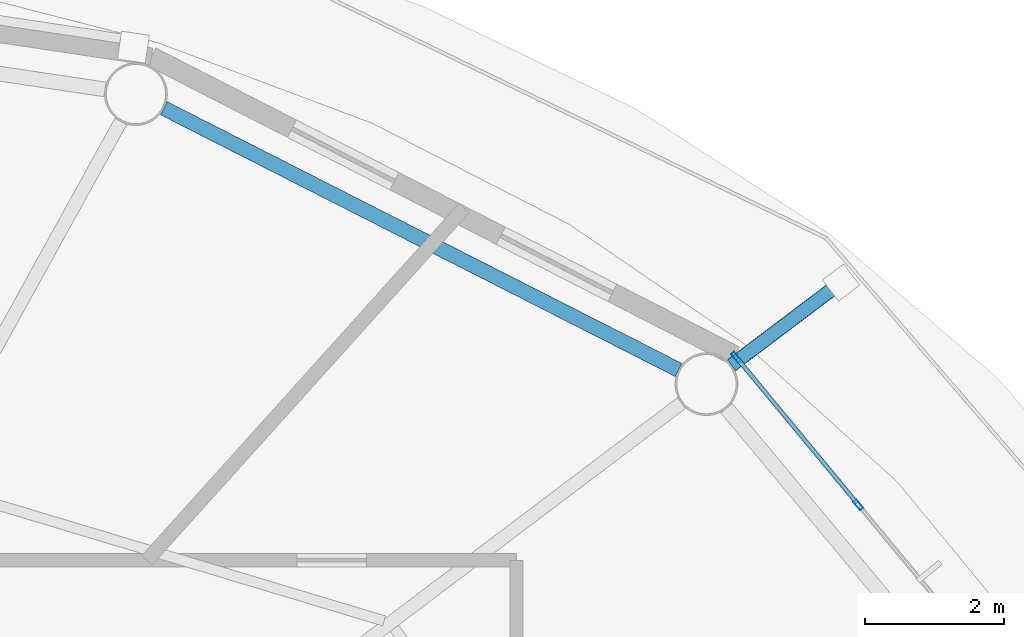
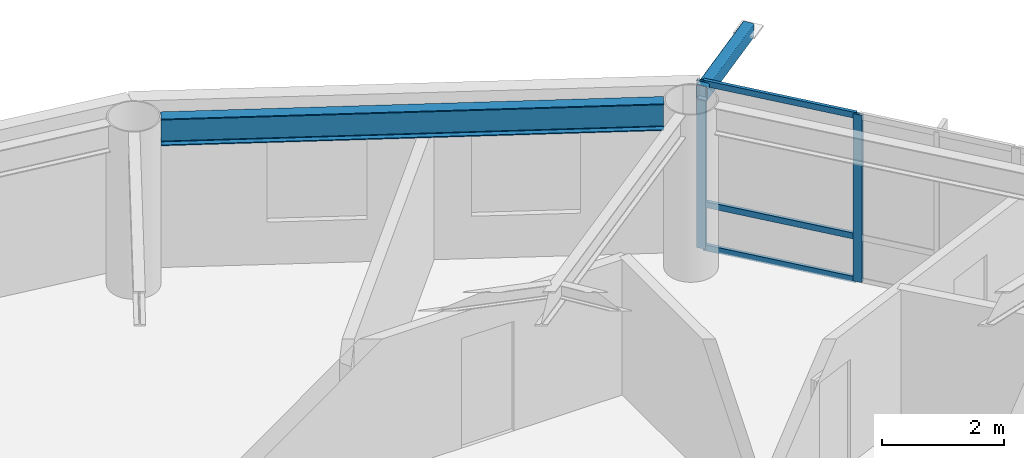
# One storey, part 11 of 22: 6 members, 1 beam, 1 element without a shape of its own.
"""IFC4 building model written with IfcOpenShell, lengths in metres."""

from ifc_helpers import new_model, si_unit, direction, frame, origin, origin_2d, place, context, subcontext, project, spatial, hollow_rectangle, i_section, extrude, material, layer, layer_set, material_profile, profile_set, type_object, element, aggregate, save


model = new_model("IFC4")

# Units and contexts
model_context = context("Model", 3, precision=1e-05, world=origin(), true_north=direction((0.0, 1.0)))
body_context = subcontext(model_context, "Body", "Model", "MODEL_VIEW")
ifc_project = project(units=[si_unit("LENGTHUNIT", "METRE"), si_unit("AREAUNIT", "SQUARE_METRE"), si_unit("VOLUMEUNIT", "CUBIC_METRE"), si_unit("PLANEANGLEUNIT", "RADIAN"), si_unit("MASSUNIT", "GRAM", prefix="KILO")], contexts=[model_context])

# Site, building, storey
site_placement = place(None, origin())
site = spatial("IfcSite", under=ifc_project, at=site_placement, CompositionType="ELEMENT")
building_placement = place(site_placement, origin())
building = spatial("IfcBuilding", under=site, at=building_placement, Name="Sarneth Arch Tower", CompositionType="ELEMENT")
storey_placement = place(building_placement, frame((0.0, 0.0, 213.60009765625)))
storey = spatial("IfcBuildingStorey", under=building, at=storey_placement, Name="L54", CompositionType="ELEMENT", Elevation=213.60009765625)

# Beam
ifc_material_1 = material(Name="Steel S355", Category="steel")
ifc_material_profile_1 = material_profile(ifc_material_1, i_section(OverallWidth=0.2109375, OverallDepth=0.5390625, WebThickness=0.01171875, FlangeThickness=0.018798828125, FilletRadius=0.01806640625, at=origin_2d()), Name="W530x109")
ifc_profile_set_1 = profile_set([ifc_material_profile_1], Name="Steel S355")
beam_type = type_object("IfcBeamType", Name="BM-RAD-530B", PredefinedType="BEAM", material=ifc_profile_set_1)
beam_placement = place(storey_placement, frame((65.57421875, 55.780517578125, 3.09033203125), z_axis=(-0.891376248079, 0.453264144138, 0.0), x_axis=(-0.453264144138, -0.891376248079, 0.0)))
element("IfcBeam", 1, at=beam_placement, inside=storey, type_object=beam_type, Name="L54 Perimeter spandrel beam 03", PredefinedType="BEAM", context=body_context, shape_type="SweptSolid", body=[
    extrude(i_section(OverallWidth=0.2109375, OverallDepth=0.5390625, WebThickness=0.01171875, FlangeThickness=0.018798828125, FilletRadius=0.01806640625, at=origin_2d()), origin(), (0.0, 0.0, 1.0), 8.281982421875),
])

# Curtain wall, members
ifc_material_2 = material(Name="Anodised aluminium Type AA25 and solar-control low-e laminated IGU", Category="aluminium")
ifc_layer = layer(ifc_material_2, 0.179931640625)
ifc_layer_set = layer_set([ifc_layer], Name="Anodised aluminium Type AA25 and solar-control low-e laminated IGU")
curtain_wall_type = type_object("IfcCurtainWallType", Name="CW-RES-HIGH", PredefinedType="NOTDEFINED", material=ifc_layer_set)
curtain_wall_placement = place(storey_placement, origin())
curtain_wall = element("IfcCurtainWall", 2, at=curtain_wall_placement, inside=storey, type_object=curtain_wall_type, Name="L54 Unitised curtain wall facet 02", PredefinedType="NOTDEFINED")
ifc_material_3 = material(Name="Anodised Aluminium 6063-T6", Category="aluminium")
ifc_material_profile_2 = material_profile(ifc_material_3, hollow_rectangle(XDim=0.06005859375, YDim=0.159912109375, WallThickness=0.00390625, at=origin_2d()), Name="AL-MULL-160x60x4")
ifc_profile_set_2 = profile_set([ifc_material_profile_2], Name="Anodised Aluminium 6063-T6")
member_type_1 = type_object("IfcMemberType", Name="CW-MULLION", PredefinedType="MULLION", material=ifc_profile_set_2)
member_1_placement = place(storey_placement, frame((68.15283203125, 53.84765625, 0.0), z_axis=(0.0, 0.0, 1.0), x_axis=(-0.770359245933, -0.637610094184, 0.0)))
member_1 = element("IfcMember", 3, at=member_1_placement, type_object=member_type_1, Name="CW-SYS-6 mullion 3", PredefinedType="MULLION", context=body_context, shape_type="SweptSolid", body=[
    extrude(hollow_rectangle(XDim=0.06005859375, YDim=0.159912109375, WallThickness=0.00390625, at=origin_2d()), origin(), (0.0, 0.0, 1.0), 3.35986328125),
])
member_2_placement = place(storey_placement, frame((66.401611328125, 55.96337890625, 0.0), z_axis=(0.0, 0.0, 1.0), x_axis=(-0.770359245933, -0.637610094184, 0.0)))
member_2 = element("IfcMember", 4, at=member_2_placement, type_object=member_type_1, Name="CW-SYS-6 mullion 4", PredefinedType="MULLION", context=body_context, shape_type="SweptSolid", body=[
    extrude(hollow_rectangle(XDim=0.06005859375, YDim=0.159912109375, WallThickness=0.00390625, at=origin_2d()), origin(), (0.0, 0.0, 1.0), 3.35986328125),
])
ifc_material_4 = material(Name="Anodised Aluminium 6063-T6", Category="aluminium")
ifc_material_profile_3 = material_profile(ifc_material_4, hollow_rectangle(XDim=0.06005859375, YDim=0.1201171875, WallThickness=0.00390625, at=origin_2d()), Name="AL-TRAN-120x60x4")
ifc_profile_set_3 = profile_set([ifc_material_profile_3], Name="Anodised Aluminium 6063-T6")
member_type_2 = type_object("IfcMemberType", Name="CW-TRANSOM", PredefinedType="USERDEFINED", material=ifc_profile_set_3)
member_3_placement = place(storey_placement, frame((68.1337890625, 53.87060546875, 0.02978515625), z_axis=(-0.637606765719, 0.770362000821, 0.0), x_axis=(-0.770362000821, -0.637606765719, 0.0)))
member_3 = element("IfcMember", 5, at=member_3_placement, type_object=member_type_2, Name="CW-SYS-6 transom 3.1", ObjectType="TRANSOM", PredefinedType="USERDEFINED", context=body_context, shape_type="SweptSolid", body=[
    extrude(hollow_rectangle(XDim=0.06005859375, YDim=0.1201171875, WallThickness=0.00390625, at=origin_2d()), origin(), (0.0, 0.0, 1.0), 2.686767578125),
])
member_4_placement = place(storey_placement, frame((68.1337890625, 53.87060546875, 0.89990234375), z_axis=(-0.637606765719, 0.770362000821, 0.0), x_axis=(-0.770362000821, -0.637606765719, 0.0)))
member_4 = element("IfcMember", 6, at=member_4_placement, type_object=member_type_2, Name="CW-SYS-6 transom 3.2", ObjectType="TRANSOM", PredefinedType="USERDEFINED", context=body_context, shape_type="SweptSolid", body=[
    extrude(hollow_rectangle(XDim=0.06005859375, YDim=0.1201171875, WallThickness=0.00390625, at=origin_2d()), origin(), (0.0, 0.0, 1.0), 2.686767578125),
])
member_5_placement = place(storey_placement, frame((68.1337890625, 53.87060546875, 3.329833984375), z_axis=(-0.637606765719, 0.770362000821, 0.0), x_axis=(-0.770362000821, -0.637606765719, 0.0)))
member_5 = element("IfcMember", 7, at=member_5_placement, type_object=member_type_2, Name="CW-SYS-6 transom 3.3", ObjectType="TRANSOM", PredefinedType="USERDEFINED", context=body_context, shape_type="SweptSolid", body=[
    extrude(hollow_rectangle(XDim=0.06005859375, YDim=0.1201171875, WallThickness=0.00390625, at=origin_2d()), origin(), (0.0, 0.0, 1.0), 2.686767578125),
])
aggregate(curtain_wall, [member_1, member_2, member_3, member_4, member_5])

# Member
ifc_material_5 = material(Name="Steel S355", Category="steel")
ifc_material_profile_4 = material_profile(ifc_material_5, hollow_rectangle(XDim=0.199951171875, YDim=0.300048828125, WallThickness=0.012451171875, InnerFilletRadius=0.018798828125, OuterFilletRadius=0.03125, at=origin_2d()), Name="RHS300x200x12.5")
ifc_profile_set_4 = profile_set([ifc_material_profile_4], Name="Steel S355")
member_type_3 = type_object("IfcMemberType", Name="MEM-CANT-STRUT", PredefinedType="STRUT", material=ifc_profile_set_4)
member_6_placement = place(storey_placement, frame((66.334228515625, 55.84765625, 3.199951171875), z_axis=(0.797972004002, 0.602694517006, 0.0), x_axis=(-0.602694517006, 0.797972004002, 0.0)))
element("IfcMember", 8, at=member_6_placement, inside=storey, type_object=member_type_3, Name="L54 Balcony cantilever bracket 03", PredefinedType="STRUT", context=body_context, shape_type="SweptSolid", body=[
    extrude(hollow_rectangle(XDim=0.199951171875, YDim=0.300048828125, WallThickness=0.012451171875, InnerFilletRadius=0.018798828125, OuterFilletRadius=0.03125, at=origin_2d()), origin(), (0.0, 0.0, 1.0), 1.968994140625),
])

save(model, "model.ifc")
